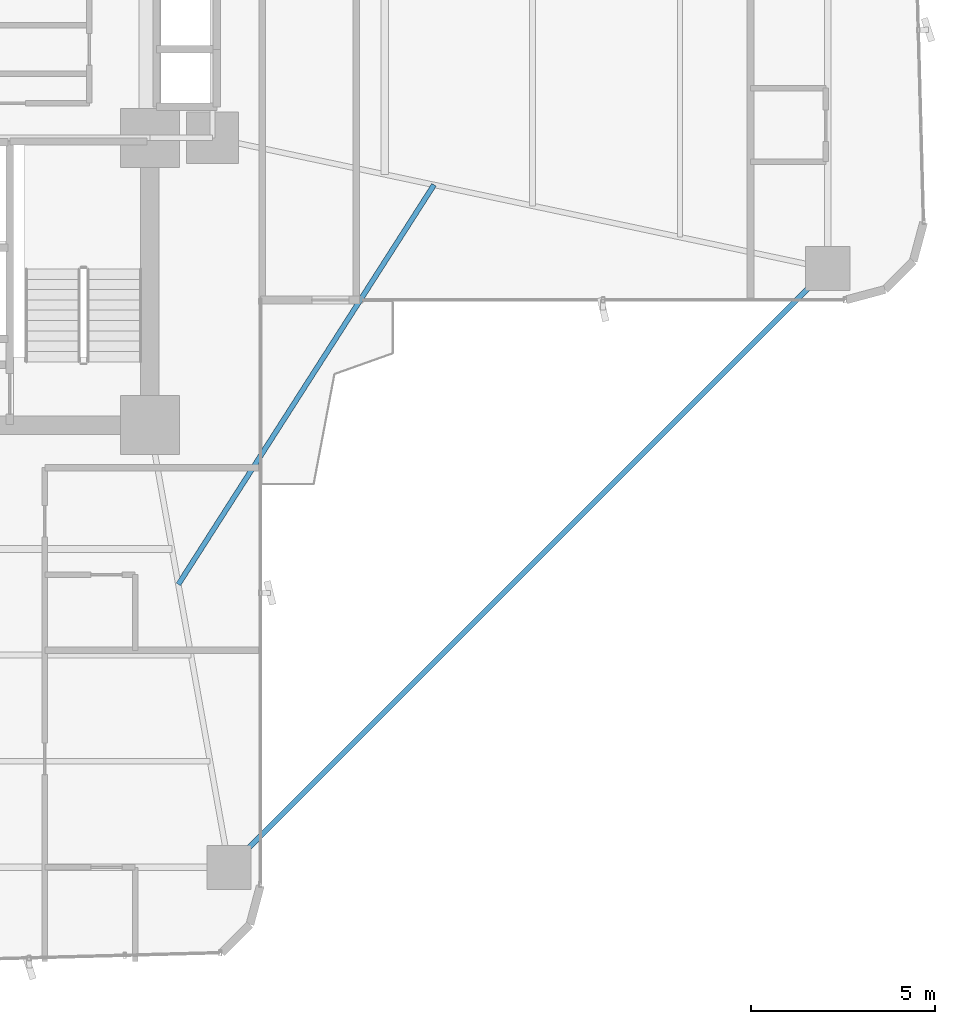
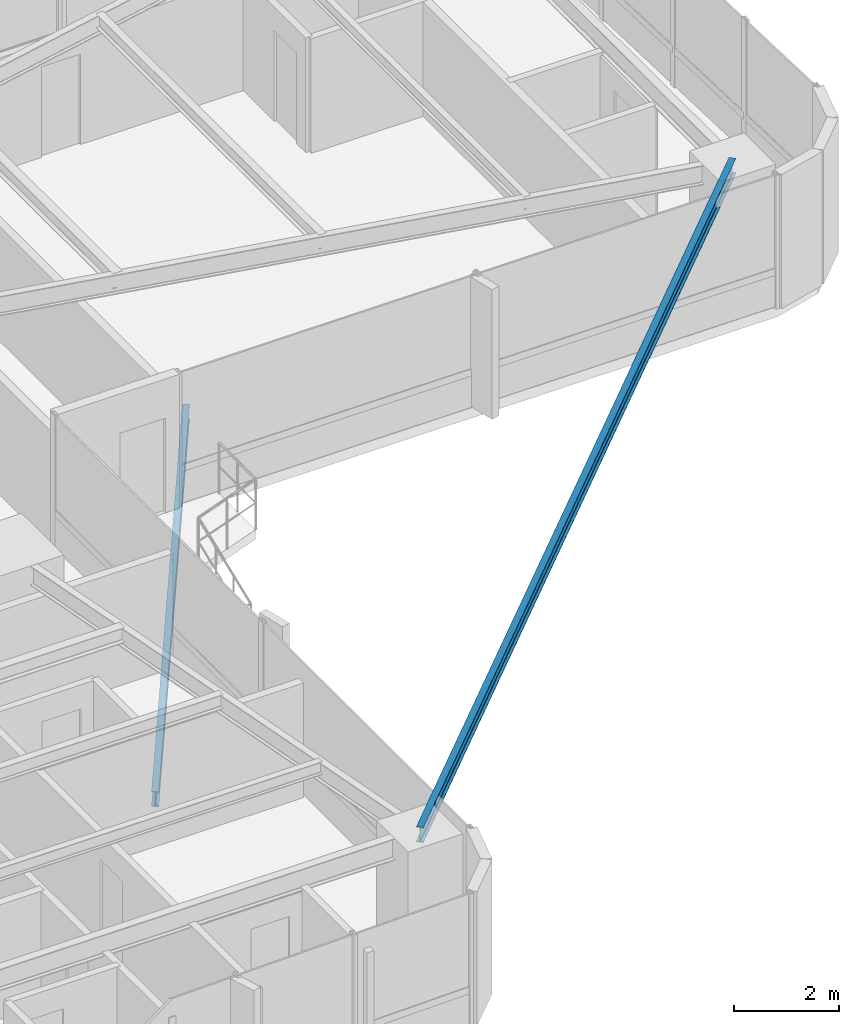
# One storey, part 13 of 25: 2 beams.
"""IFC4 building model written with IfcOpenShell, lengths in metres."""

import ifcopenshell
import ifcopenshell.guid

model = None  # the IFC model being written
_history = None  # IfcOwnerHistory: only IFC2X3 demands one
_inside = {}  # id of a spatial element -> (the spatial element, [elements in it])
_under = {}  # id of a project, library or spatial element -> (it, [spatial elements below it])
_declared = {}  # id of a project -> (the project, [libraries it declares])
_typed = {}  # id of a type object -> (the type object, [elements of that type])
_made_of = {}  # id of a material, layer set ... -> (it, [elements and type objects made of it])


def new_model(schema):
    """Start an empty IFC model of exactly this schema.

    Asked for "IFC4X3", IfcOpenShell would pick the latest addendum, in which some entities
    have other attributes; the version numbers below select the first issue.
    IFC2X3 requires an IfcOwnerHistory on every rooted entity: one is made here for all.
    """
    global model, _history
    if schema == "IFC4X3":
        model = ifcopenshell.file(schema_version=(4, 3, 0, 0))
    else:
        model = ifcopenshell.file(schema=schema)
    _inside.clear()
    _under.clear()
    _declared.clear()
    _typed.clear()
    _made_of.clear()
    _history = None
    if model.schema == "IFC2X3":
        org = make("IfcOrganization", Name="unknown")
        user = make(
            "IfcPersonAndOrganization",
            ThePerson=make("IfcPerson", FamilyName="unknown"),
            TheOrganization=org,
        )
        app = make(
            "IfcApplication",
            ApplicationDeveloper=org,
            Version="unknown",
            ApplicationFullName="unknown",
            ApplicationIdentifier="unknown",
        )
        _history = make(
            "IfcOwnerHistory",
            OwningUser=user,
            OwningApplication=app,
            ChangeAction="ADDED",
            CreationDate=0,
        )
    return model


def make(cls, **values):
    """One entity of the class cls with the attributes given. An attribute that is None is left unset."""
    return model.create_entity(
        cls, **{name: value for name, value in values.items() if value is not None}
    )


def rooted(cls, **values):
    """An entity with a GlobalId (a new one), such as an element, a storey or a relation."""
    return make(cls, GlobalId=ifcopenshell.guid.new(), OwnerHistory=_history, **values)


def si_unit(unit_type, name, prefix=None):
    """IfcSIUnit, for example si_unit("LENGTHUNIT", "METRE", prefix="MILLI")."""
    return make("IfcSIUnit", UnitType=unit_type, Prefix=prefix, Name=name)


def assignment(units):
    """IfcUnitAssignment: the units of a project."""
    return None if units is None else make("IfcUnitAssignment", Units=units)


def point(xyz):
    """IfcCartesianPoint."""
    return None if xyz is None else make("IfcCartesianPoint", Coordinates=xyz)


def direction(xyz):
    """IfcDirection."""
    return None if xyz is None else make("IfcDirection", DirectionRatios=xyz)


def frame(location, z_axis=None, x_axis=None):
    """IfcAxis2Placement3D, a coordinate frame: its origin and axes. An axis left out is left unset."""
    return make(
        "IfcAxis2Placement3D",
        Location=point(location),
        Axis=direction(z_axis),
        RefDirection=direction(x_axis),
    )


def frame_2d(location, x_axis=None):
    """IfcAxis2Placement2D, a coordinate frame in the plane: its origin and x axis."""
    return make(
        "IfcAxis2Placement2D", Location=point(location), RefDirection=direction(x_axis)
    )


def origin():
    """The frame at (0, 0, 0) with its axes left unset."""
    return frame((0.0, 0.0, 0.0))


def origin_2d():
    """The frame at (0, 0) in the plane with its x axis left unset."""
    return frame_2d((0.0, 0.0))


def place(relative_to, where):
    """IfcLocalPlacement: puts the frame where relative to a parent placement (None: the world)."""
    return make(
        "IfcLocalPlacement", PlacementRelTo=relative_to, RelativePlacement=where
    )


def context(
    kind, dimensions, precision=None, world=None, true_north=None, identifier=None
):
    """IfcGeometricRepresentationContext, for example the 3D "Model" context."""
    return make(
        "IfcGeometricRepresentationContext",
        ContextIdentifier=identifier,
        ContextType=kind,
        CoordinateSpaceDimension=dimensions,
        Precision=precision,
        WorldCoordinateSystem=world,
        TrueNorth=true_north,
    )


def subcontext(parent, identifier, kind, view, scale=None):
    """IfcGeometricRepresentationSubContext, for example "Body" below "Model"."""
    return make(
        "IfcGeometricRepresentationSubContext",
        ContextIdentifier=identifier,
        ContextType=kind,
        ParentContext=parent,
        TargetScale=scale,
        TargetView=view,
    )


def project(units=None, contexts=None):
    """IfcProject with its units and contexts."""
    return rooted(
        "IfcProject",
        Name="project",
        RepresentationContexts=contexts,
        UnitsInContext=assignment(units),
    )


def spatial(cls, under=None, at=None, **own):
    """A site, building, storey or space (cls), placed at a placement, below another one or the project."""
    s = rooted(cls, ObjectPlacement=at, **own)
    if under is not None:
        _under.setdefault(under.id(), (under, []))[1].append(s)
    return s


def profile(cls, at=None, kind="AREA", **sizes):
    """A parametric profile (cls). Its sizes go by their IFC names, for example OverallWidth=200.0."""
    return make(cls, ProfileType=kind, Position=at, **sizes)


def i_section(**sizes):
    """IfcIShapeProfileDef."""
    return profile("IfcIShapeProfileDef", **sizes)


def extrude(swept, where, along, depth):
    """IfcExtrudedAreaSolid: the profile swept, set in the frame where, extruded along a direction by depth."""
    return make(
        "IfcExtrudedAreaSolid",
        SweptArea=swept,
        Position=where,
        ExtrudedDirection=direction(along),
        Depth=depth,
    )


def shape(context_of_items, identifier, shape_type, items):
    """IfcShapeRepresentation: the items that make up one representation, for example the "Body"."""
    return make(
        "IfcShapeRepresentation",
        ContextOfItems=context_of_items,
        RepresentationIdentifier=identifier,
        RepresentationType=shape_type,
        Items=items,
    )


def source(mapping_origin, context_of_items, identifier, shape_type, items):
    """IfcRepresentationMap: a shape defined once, which mapped items show again and again."""
    return make(
        "IfcRepresentationMap",
        MappingOrigin=mapping_origin,
        MappedRepresentation=shape(context_of_items, identifier, shape_type, items),
    )


def transform(
    local_origin,
    x_axis=None,
    y_axis=None,
    z_axis=None,
    scale=None,
    scale2=None,
    scale3=None,
    uniform=True,
):
    """IfcCartesianTransformationOperator3D, or its non-uniform kind. x_axis, y_axis, z_axis: its Axis1, 2, 3."""
    if uniform:
        return make(
            "IfcCartesianTransformationOperator3D",
            Axis1=direction(x_axis),
            Axis2=direction(y_axis),
            LocalOrigin=point(local_origin),
            Scale=scale,
            Axis3=direction(z_axis),
        )
    return make(
        "IfcCartesianTransformationOperator3DnonUniform",
        Axis1=direction(x_axis),
        Axis2=direction(y_axis),
        LocalOrigin=point(local_origin),
        Scale=scale,
        Axis3=direction(z_axis),
        Scale2=scale2,
        Scale3=scale3,
    )


def mapped(mapping_source, mapping_target):
    """IfcMappedItem: shows the shape of a source again, moved by a transform."""
    return make(
        "IfcMappedItem", MappingSource=mapping_source, MappingTarget=mapping_target
    )


def material(Name=None, Category=None):
    """IfcMaterial."""
    return make("IfcMaterial", Name=Name, Category=Category)


def material_profile(
    of_material, cross_section, Name=None, Category=None, Priority=None
):
    """IfcMaterialProfile: a cross section and its material."""
    return make(
        "IfcMaterialProfile",
        Name=Name,
        Material=of_material,
        Profile=cross_section,
        Priority=Priority,
        Category=Category,
    )


def profile_set(profiles, Name=None, composite=None):
    """IfcMaterialProfileSet."""
    return make(
        "IfcMaterialProfileSet",
        Name=Name,
        MaterialProfiles=profiles,
        CompositeProfile=composite,
    )


def made_of(thing, what):
    """Note that an element or type object is made of a material, layer set ...; save() writes the relation."""
    if what is not None:
        _made_of.setdefault(what.id(), (what, []))[1].append(thing)
    return thing


def type_object(cls, material=None, **own):
    """A type object (cls), such as IfcWallType, which elements share."""
    return made_of(rooted(cls, **own), material)


def element(
    cls,
    number,
    at=None,
    inside=None,
    cuts=None,
    type_object=None,
    material=None,
    context=None,
    identifier="Body",
    shape_type=None,
    held_by="IfcProductDefinitionShape",
    body=None,
    shapes=None,
    **own,
):
    """One element of the class cls, such as IfcWall. Its Tag is "e" and its number.

    at: its placement. inside: the storey or other place that contains it. cuts: it is an
    opening in that element (IfcRelVoidsElement). A single representation is given by context,
    identifier, shape_type and body (its items); several are given by shapes. held_by: the class
    of the entity that holds the representations. save() writes the other relations.
    """
    e = rooted(cls, Tag="e%d" % number, ObjectPlacement=at, **own)
    if body is not None:
        shapes = [shape(context, identifier, shape_type, body)]
    if shapes is not None:
        e.Representation = make(held_by, Representations=shapes)
    if inside is not None:
        _inside.setdefault(inside.id(), (inside, []))[1].append(e)
    if cuts is not None:
        rooted(
            "IfcRelVoidsElement", RelatingBuildingElement=cuts, RelatedOpeningElement=e
        )
    if type_object is not None:
        _typed.setdefault(type_object.id(), (type_object, []))[1].append(e)
    return made_of(e, material)


def aggregate(whole, parts):
    """IfcRelAggregates: a whole, such as a stair, and the parts it consists of."""
    return rooted("IfcRelAggregates", RelatingObject=whole, RelatedObjects=parts)


def save(model, path):
    """Write the relations noted so far, then the file.

    IfcRelAggregates (storeys below a building ...), IfcRelContainedInSpatialStructure (elements
    in a storey), IfcRelDefinesByType, IfcRelAssociatesMaterial and IfcRelDeclares: one each for
    every whole, place, type object, material and project.
    """
    for whole, parts in _under.values():
        aggregate(whole, parts)
    for where, things in _inside.values():
        rooted(
            "IfcRelContainedInSpatialStructure",
            RelatedElements=things,
            RelatingStructure=where,
        )
    for kind, things in _typed.values():
        rooted("IfcRelDefinesByType", RelatedObjects=things, RelatingType=kind)
    for what, things in _made_of.values():
        rooted("IfcRelAssociatesMaterial", RelatedObjects=things, RelatingMaterial=what)
    for by, libraries in _declared.values():
        rooted("IfcRelDeclares", RelatingContext=by, RelatedDefinitions=libraries)
    model.write(path)


model = new_model("IFC4")

# Units and contexts
model_context = context("Model", 3, precision=1e-05, world=origin(), true_north=direction((0.0, 1.0)))
body_context = subcontext(model_context, "Body", "Model", "MODEL_VIEW")
ifc_project = project(units=[si_unit("LENGTHUNIT", "METRE"), si_unit("AREAUNIT", "SQUARE_METRE"), si_unit("VOLUMEUNIT", "CUBIC_METRE"), si_unit("PLANEANGLEUNIT", "RADIAN"), si_unit("MASSUNIT", "GRAM", prefix="KILO")], contexts=[model_context])

# Site, building, storey
site_placement = place(None, origin())
site = spatial("IfcSite", under=ifc_project, at=site_placement, CompositionType="ELEMENT")
building_placement = place(site_placement, origin())
building = spatial("IfcBuilding", under=site, at=building_placement, Name="Sahyath Konkavel Grand Hotel", CompositionType="ELEMENT")
storey_placement = place(building_placement, frame((0.0, 0.0, 36.5)))
storey = spatial("IfcBuildingStorey", under=building, at=storey_placement, Name="L09", CompositionType="ELEMENT", Elevation=36.5)

# Beams
ifc_material = material(Name="Steel E350", Category="steel")
ifc_material_profile_1 = material_profile(ifc_material, i_section(OverallWidth=0.139892578125, OverallDepth=0.35009765625, WebThickness=0.008056640625, FlangeThickness=0.01416015625, FilletRadius=0.013916015625, at=origin_2d()), Name="ISMB 350")
ifc_profile_set_1 = profile_set([ifc_material_profile_1], Name="Steel E350")
beam_type_1 = type_object("IfcBeamType", Name="BM-ISMB350", PredefinedType="BEAM", material=ifc_profile_set_1)
shared_shape_1 = source(origin(), body_context, "Body", "SweptSolid", [
    extrude(i_section(OverallWidth=0.139892578125, OverallDepth=0.35009765625, WebThickness=0.008056640625, FlangeThickness=0.01416015625, FilletRadius=0.013916015625, at=origin_2d()), origin(), (0.0, 0.0, 1.0), 22.98095703125),
])
beam_1_placement = place(storey_placement, frame((22.199951171875, -5.949951171875, 2.93505859375), z_axis=(-0.707106781187, -0.707106781187, 0.0), x_axis=(0.707106781187, -0.707106781187, 0.0)))
element("IfcBeam", 1, at=beam_1_placement, inside=storey, type_object=beam_type_1, Name="L09 Re-Entrant Tie Beam SE", PredefinedType="BEAM", context=body_context, shape_type="MappedRepresentation", body=[
    mapped(shared_shape_1, transform((0.0, 0.0, 0.0), scale=1.0)),
])
ifc_material_profile_2 = material_profile(ifc_material, i_section(OverallWidth=0.139892578125, OverallDepth=0.35009765625, WebThickness=0.008056640625, FlangeThickness=0.01416015625, FilletRadius=0.013916015625, at=origin_2d()), Name="ISMB 350")
ifc_profile_set_2 = profile_set([ifc_material_profile_2], Name="Steel E350")
beam_type_2 = type_object("IfcBeamType", Name="BM-BALC-CANT", PredefinedType="BEAM", material=ifc_profile_set_2)
shared_shape_2 = source(origin(), body_context, "Body", "SweptSolid", [
    extrude(i_section(OverallWidth=0.139892578125, OverallDepth=0.35009765625, WebThickness=0.008056640625, FlangeThickness=0.01416015625, FilletRadius=0.013916015625, at=origin_2d()), origin(), (0.0, 0.0, 1.0), 12.871826171875),
])
beam_2_placement = place(storey_placement, frame((4.573974609375, -14.52001953125, -0.4150390625), z_axis=(0.539003102535, 0.842303778608, 0.0), x_axis=(-0.842303778608, 0.539003102535, 0.0)))
element("IfcBeam", 2, at=beam_2_placement, inside=storey, type_object=beam_type_2, Name="L09 Balcony Cantilever Support Beam SE", PredefinedType="BEAM", context=body_context, shape_type="MappedRepresentation", body=[
    mapped(shared_shape_2, transform((0.0, 0.0, 0.0), scale=1.0)),
])

save(model, "model.ifc")
